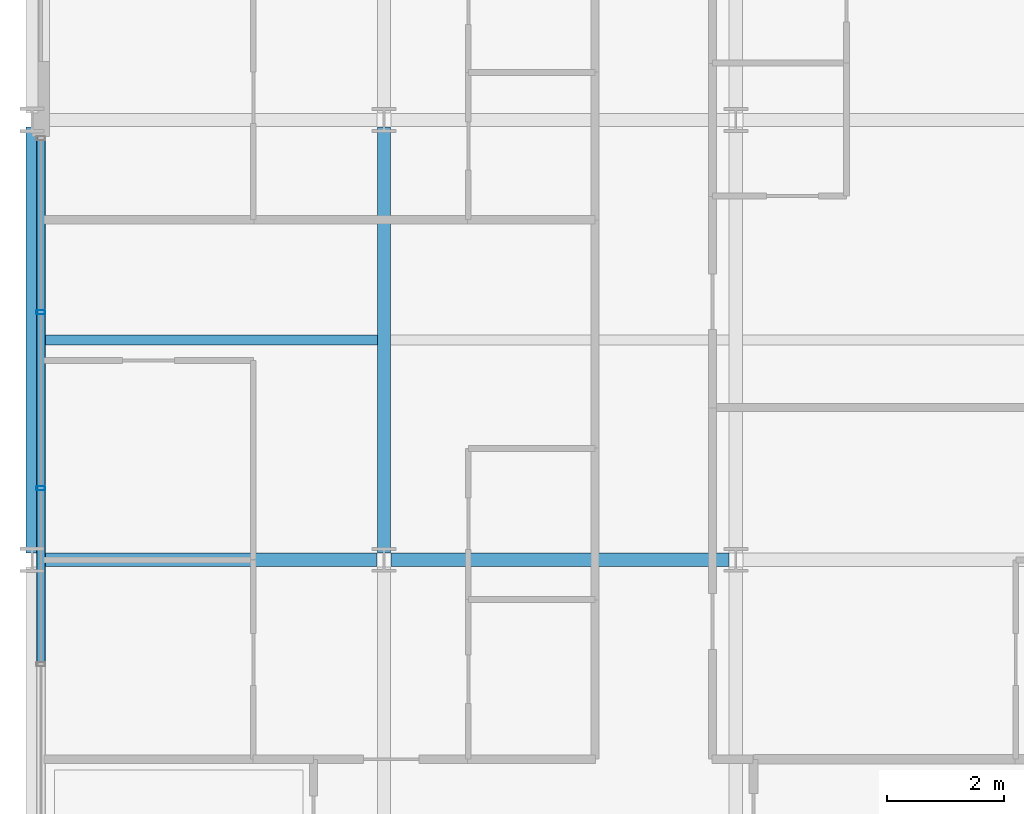
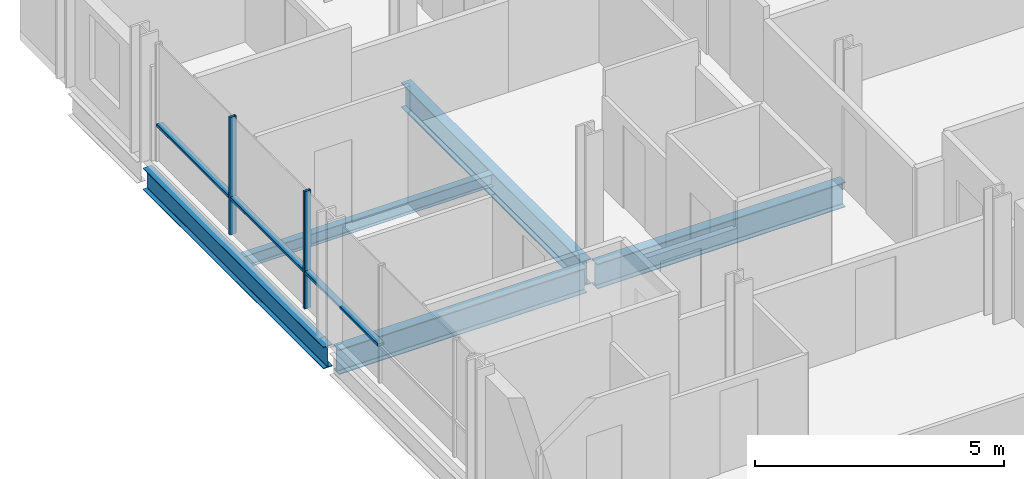
# One storey, part 5 of 40: 5 beams, 5 members, 1 element without a shape of its own.
"""IFC4 building model written with IfcOpenShell, lengths in metres."""

import ifcopenshell
import ifcopenshell.guid

model = None  # the IFC model being written
_history = None  # IfcOwnerHistory: only IFC2X3 demands one
_inside = {}  # id of a spatial element -> (the spatial element, [elements in it])
_under = {}  # id of a project, library or spatial element -> (it, [spatial elements below it])
_declared = {}  # id of a project -> (the project, [libraries it declares])
_typed = {}  # id of a type object -> (the type object, [elements of that type])
_made_of = {}  # id of a material, layer set ... -> (it, [elements and type objects made of it])


def new_model(schema):
    """Start an empty IFC model of exactly this schema.

    Asked for "IFC4X3", IfcOpenShell would pick the latest addendum, in which some entities
    have other attributes; the version numbers below select the first issue.
    IFC2X3 requires an IfcOwnerHistory on every rooted entity: one is made here for all.
    """
    global model, _history
    if schema == "IFC4X3":
        model = ifcopenshell.file(schema_version=(4, 3, 0, 0))
    else:
        model = ifcopenshell.file(schema=schema)
    _inside.clear()
    _under.clear()
    _declared.clear()
    _typed.clear()
    _made_of.clear()
    _history = None
    if model.schema == "IFC2X3":
        org = make("IfcOrganization", Name="unknown")
        user = make(
            "IfcPersonAndOrganization",
            ThePerson=make("IfcPerson", FamilyName="unknown"),
            TheOrganization=org,
        )
        app = make(
            "IfcApplication",
            ApplicationDeveloper=org,
            Version="unknown",
            ApplicationFullName="unknown",
            ApplicationIdentifier="unknown",
        )
        _history = make(
            "IfcOwnerHistory",
            OwningUser=user,
            OwningApplication=app,
            ChangeAction="ADDED",
            CreationDate=0,
        )
    return model


def make(cls, **values):
    """One entity of the class cls with the attributes given. An attribute that is None is left unset."""
    return model.create_entity(
        cls, **{name: value for name, value in values.items() if value is not None}
    )


def rooted(cls, **values):
    """An entity with a GlobalId (a new one), such as an element, a storey or a relation."""
    return make(cls, GlobalId=ifcopenshell.guid.new(), OwnerHistory=_history, **values)


def si_unit(unit_type, name, prefix=None):
    """IfcSIUnit, for example si_unit("LENGTHUNIT", "METRE", prefix="MILLI")."""
    return make("IfcSIUnit", UnitType=unit_type, Prefix=prefix, Name=name)


def assignment(units):
    """IfcUnitAssignment: the units of a project."""
    return None if units is None else make("IfcUnitAssignment", Units=units)


def point(xyz):
    """IfcCartesianPoint."""
    return None if xyz is None else make("IfcCartesianPoint", Coordinates=xyz)


def direction(xyz):
    """IfcDirection."""
    return None if xyz is None else make("IfcDirection", DirectionRatios=xyz)


def frame(location, z_axis=None, x_axis=None):
    """IfcAxis2Placement3D, a coordinate frame: its origin and axes. An axis left out is left unset."""
    return make(
        "IfcAxis2Placement3D",
        Location=point(location),
        Axis=direction(z_axis),
        RefDirection=direction(x_axis),
    )


def frame_2d(location, x_axis=None):
    """IfcAxis2Placement2D, a coordinate frame in the plane: its origin and x axis."""
    return make(
        "IfcAxis2Placement2D", Location=point(location), RefDirection=direction(x_axis)
    )


def origin():
    """The frame at (0, 0, 0) with its axes left unset."""
    return frame((0.0, 0.0, 0.0))


def origin_2d():
    """The frame at (0, 0) in the plane with its x axis left unset."""
    return frame_2d((0.0, 0.0))


def place(relative_to, where):
    """IfcLocalPlacement: puts the frame where relative to a parent placement (None: the world)."""
    return make(
        "IfcLocalPlacement", PlacementRelTo=relative_to, RelativePlacement=where
    )


def context(
    kind, dimensions, precision=None, world=None, true_north=None, identifier=None
):
    """IfcGeometricRepresentationContext, for example the 3D "Model" context."""
    return make(
        "IfcGeometricRepresentationContext",
        ContextIdentifier=identifier,
        ContextType=kind,
        CoordinateSpaceDimension=dimensions,
        Precision=precision,
        WorldCoordinateSystem=world,
        TrueNorth=true_north,
    )


def subcontext(parent, identifier, kind, view, scale=None):
    """IfcGeometricRepresentationSubContext, for example "Body" below "Model"."""
    return make(
        "IfcGeometricRepresentationSubContext",
        ContextIdentifier=identifier,
        ContextType=kind,
        ParentContext=parent,
        TargetScale=scale,
        TargetView=view,
    )


def project(units=None, contexts=None):
    """IfcProject with its units and contexts."""
    return rooted(
        "IfcProject",
        Name="project",
        RepresentationContexts=contexts,
        UnitsInContext=assignment(units),
    )


def spatial(cls, under=None, at=None, **own):
    """A site, building, storey or space (cls), placed at a placement, below another one or the project."""
    s = rooted(cls, ObjectPlacement=at, **own)
    if under is not None:
        _under.setdefault(under.id(), (under, []))[1].append(s)
    return s


def profile(cls, at=None, kind="AREA", **sizes):
    """A parametric profile (cls). Its sizes go by their IFC names, for example OverallWidth=200.0."""
    return make(cls, ProfileType=kind, Position=at, **sizes)


def hollow_rectangle(**sizes):
    """IfcRectangleHollowProfileDef."""
    return profile("IfcRectangleHollowProfileDef", **sizes)


def i_section(**sizes):
    """IfcIShapeProfileDef."""
    return profile("IfcIShapeProfileDef", **sizes)


def extrude(swept, where, along, depth):
    """IfcExtrudedAreaSolid: the profile swept, set in the frame where, extruded along a direction by depth."""
    return make(
        "IfcExtrudedAreaSolid",
        SweptArea=swept,
        Position=where,
        ExtrudedDirection=direction(along),
        Depth=depth,
    )


def shape(context_of_items, identifier, shape_type, items):
    """IfcShapeRepresentation: the items that make up one representation, for example the "Body"."""
    return make(
        "IfcShapeRepresentation",
        ContextOfItems=context_of_items,
        RepresentationIdentifier=identifier,
        RepresentationType=shape_type,
        Items=items,
    )


def material(Name=None, Category=None):
    """IfcMaterial."""
    return make("IfcMaterial", Name=Name, Category=Category)


def layer(
    of_material, thickness, ventilated=None, Name=None, Category=None, Priority=None
):
    """IfcMaterialLayer: one layer of a wall or slab, of a material (None: an air gap)."""
    return make(
        "IfcMaterialLayer",
        Material=of_material,
        LayerThickness=thickness,
        IsVentilated=ventilated,
        Name=Name,
        Category=Category,
        Priority=Priority,
    )


def layer_set(layers, Name=None):
    """IfcMaterialLayerSet."""
    return make("IfcMaterialLayerSet", MaterialLayers=layers, LayerSetName=Name)


def material_profile(
    of_material, cross_section, Name=None, Category=None, Priority=None
):
    """IfcMaterialProfile: a cross section and its material."""
    return make(
        "IfcMaterialProfile",
        Name=Name,
        Material=of_material,
        Profile=cross_section,
        Priority=Priority,
        Category=Category,
    )


def profile_set(profiles, Name=None, composite=None):
    """IfcMaterialProfileSet."""
    return make(
        "IfcMaterialProfileSet",
        Name=Name,
        MaterialProfiles=profiles,
        CompositeProfile=composite,
    )


def made_of(thing, what):
    """Note that an element or type object is made of a material, layer set ...; save() writes the relation."""
    if what is not None:
        _made_of.setdefault(what.id(), (what, []))[1].append(thing)
    return thing


def type_object(cls, material=None, **own):
    """A type object (cls), such as IfcWallType, which elements share."""
    return made_of(rooted(cls, **own), material)


def element(
    cls,
    number,
    at=None,
    inside=None,
    cuts=None,
    type_object=None,
    material=None,
    context=None,
    identifier="Body",
    shape_type=None,
    held_by="IfcProductDefinitionShape",
    body=None,
    shapes=None,
    **own,
):
    """One element of the class cls, such as IfcWall. Its Tag is "e" and its number.

    at: its placement. inside: the storey or other place that contains it. cuts: it is an
    opening in that element (IfcRelVoidsElement). A single representation is given by context,
    identifier, shape_type and body (its items); several are given by shapes. held_by: the class
    of the entity that holds the representations. save() writes the other relations.
    """
    e = rooted(cls, Tag="e%d" % number, ObjectPlacement=at, **own)
    if body is not None:
        shapes = [shape(context, identifier, shape_type, body)]
    if shapes is not None:
        e.Representation = make(held_by, Representations=shapes)
    if inside is not None:
        _inside.setdefault(inside.id(), (inside, []))[1].append(e)
    if cuts is not None:
        rooted(
            "IfcRelVoidsElement", RelatingBuildingElement=cuts, RelatedOpeningElement=e
        )
    if type_object is not None:
        _typed.setdefault(type_object.id(), (type_object, []))[1].append(e)
    return made_of(e, material)


def aggregate(whole, parts):
    """IfcRelAggregates: a whole, such as a stair, and the parts it consists of."""
    return rooted("IfcRelAggregates", RelatingObject=whole, RelatedObjects=parts)


def save(model, path):
    """Write the relations noted so far, then the file.

    IfcRelAggregates (storeys below a building ...), IfcRelContainedInSpatialStructure (elements
    in a storey), IfcRelDefinesByType, IfcRelAssociatesMaterial and IfcRelDeclares: one each for
    every whole, place, type object, material and project.
    """
    for whole, parts in _under.values():
        aggregate(whole, parts)
    for where, things in _inside.values():
        rooted(
            "IfcRelContainedInSpatialStructure",
            RelatedElements=things,
            RelatingStructure=where,
        )
    for kind, things in _typed.values():
        rooted("IfcRelDefinesByType", RelatedObjects=things, RelatingType=kind)
    for what, things in _made_of.values():
        rooted("IfcRelAssociatesMaterial", RelatedObjects=things, RelatingMaterial=what)
    for by, libraries in _declared.values():
        rooted("IfcRelDeclares", RelatingContext=by, RelatedDefinitions=libraries)
    model.write(path)


model = new_model("IFC4")

# Units and contexts
model_context = context("Model", 3, precision=1e-05, world=origin(), true_north=direction((0.0, 1.0)))
body_context = subcontext(model_context, "Body", "Model", "MODEL_VIEW")
ifc_project = project(units=[si_unit("LENGTHUNIT", "METRE"), si_unit("AREAUNIT", "SQUARE_METRE"), si_unit("VOLUMEUNIT", "CUBIC_METRE"), si_unit("PLANEANGLEUNIT", "RADIAN"), si_unit("MASSUNIT", "GRAM", prefix="KILO")], contexts=[model_context])

# Site, building, storey
site_placement = place(None, origin())
site = spatial("IfcSite", under=ifc_project, at=site_placement, CompositionType="ELEMENT")
building_placement = place(site_placement, origin())
building = spatial("IfcBuilding", under=site, at=building_placement, Name="Brevholm Reach", CompositionType="ELEMENT")
storey_placement = place(building_placement, frame((0.0, 0.0, 119.0)))
storey = spatial("IfcBuildingStorey", under=building, at=storey_placement, Name="L35", CompositionType="ELEMENT", Elevation=119.0)

# Beams
ifc_material_1 = material(Name="Structural Steel S355J2", Category="steel")
ifc_material_profile_1 = material_profile(ifc_material_1, i_section(OverallWidth=0.1650390625, OverallDepth=0.303466796875, WebThickness=0.006103515625, FlangeThickness=0.01025390625, FilletRadius=0.0087890625, at=origin_2d()), Name="UKB 305x165x40")
ifc_profile_set_1 = profile_set([ifc_material_profile_1], Name="Structural Steel S355J2")
beam_type_1 = type_object("IfcBeamType", Name="BM-B305", PredefinedType="BEAM", material=ifc_profile_set_1)
beam_1_placement = place(storey_placement, frame((0.104736328125, 19.75, -0.37158203125), z_axis=(1.0, 0.0, 0.0), x_axis=(0.0, 1.0, 0.0)))
element("IfcBeam", 1, at=beam_1_placement, inside=storey, type_object=beam_type_1, Name="L35 Composite Secondary Floor Beam", PredefinedType="BEAM", context=body_context, shape_type="SweptSolid", body=[
    extrude(i_section(OverallWidth=0.1650390625, OverallDepth=0.303466796875, WebThickness=0.006103515625, FlangeThickness=0.01025390625, FilletRadius=0.0087890625, at=origin_2d()), origin(), (0.0, 0.0, 1.0), 5.78076171875),
])
ifc_material_2 = material(Name="Structural Steel S355J2", Category="steel")
ifc_material_profile_2 = material_profile(ifc_material_2, i_section(OverallWidth=0.209228515625, OverallDepth=0.533203125, WebThickness=0.010009765625, FlangeThickness=0.015625, FilletRadius=0.0126953125, at=origin_2d()), Name="UKB 533x210x92")
ifc_profile_set_2 = profile_set([ifc_material_profile_2], Name="Structural Steel S355J2")
beam_type_2 = type_object("IfcBeamType", Name="BM-SP533", PredefinedType="SPANDREL", material=ifc_profile_set_2)
beam_2_placement = place(storey_placement, frame((0.0, 16.1201171875, -0.486572265625), z_axis=(0.0, 1.0, 0.0), x_axis=(-1.0, 0.0, 0.0)))
element("IfcBeam", 2, at=beam_2_placement, inside=storey, type_object=beam_type_2, Name="L35 SP-02 Framing Beam", PredefinedType="SPANDREL", context=body_context, shape_type="SweptSolid", body=[
    extrude(i_section(OverallWidth=0.209228515625, OverallDepth=0.533203125, WebThickness=0.010009765625, FlangeThickness=0.015625, FilletRadius=0.0126953125, at=origin_2d()), origin(), (0.0, 0.0, 1.0), 7.259765625),
])
ifc_material_3 = material(Name="Structural Steel S355J2", Category="steel")
ifc_material_profile_3 = material_profile(ifc_material_3, i_section(OverallWidth=0.22900390625, OverallDepth=0.6123046875, WebThickness=0.011962890625, FlangeThickness=0.01953125, FilletRadius=0.0126953125, at=origin_2d()), Name="UKB 610x229x125")
ifc_profile_set_3 = profile_set([ifc_material_profile_3], Name="Structural Steel S355J2")
beam_type_3 = type_object("IfcBeamType", Name="BM-SP610", PredefinedType="SPANDREL", material=ifc_profile_set_3)
for number, where, z_axis, x_axis, name in (
    (3, (0.1201171875, 16.0, -0.526123046875), (1.0, 0.0, 0.0), (0.0, 1.0, 0.0), "L35 SP-01 Framing Beam"),
    (4, (6.1201171875, 16.0, -0.526123046875), (1.0, 0.0, 0.0), (0.0, 1.0, 0.0), "L35 SP-01 Framing Beam"),
):
    element("IfcBeam", number, at=place(storey_placement, frame(where, z_axis=z_axis, x_axis=x_axis)), inside=storey, type_object=beam_type_3, Name=name, PredefinedType="SPANDREL", context=body_context, shape_type="SweptSolid", body=[
        extrude(i_section(OverallWidth=0.22900390625, OverallDepth=0.6123046875, WebThickness=0.011962890625, FlangeThickness=0.01953125, FilletRadius=0.0126953125, at=origin_2d()), origin(), (0.0, 0.0, 1.0), 5.759765625),
    ])
beam_3_placement = place(storey_placement, frame((6.0, 16.1201171875, -0.526123046875), z_axis=(0.0, 1.0, 0.0), x_axis=(-1.0, 0.0, 0.0)))
element("IfcBeam", 5, at=beam_3_placement, inside=storey, type_object=beam_type_3, Name="L35 SP-01 Framing Beam", PredefinedType="SPANDREL", context=body_context, shape_type="SweptSolid", body=[
    extrude(i_section(OverallWidth=0.22900390625, OverallDepth=0.6123046875, WebThickness=0.011962890625, FlangeThickness=0.01953125, FilletRadius=0.0126953125, at=origin_2d()), origin(), (0.0, 0.0, 1.0), 7.259765625),
])

# Curtain wall, members
ifc_material_4 = material(Name="Dark Anodised Aluminium 6063-T6 and Solar-Control Glass", Category="aluminium")
ifc_layer = layer(ifc_material_4, 0.14990234375)
ifc_layer_set = layer_set([ifc_layer], Name="Dark Anodised Aluminium 6063-T6 and Solar-Control Glass")
curtain_wall_type = type_object("IfcCurtainWallType", Name="CW-01", PredefinedType="NOTDEFINED", material=ifc_layer_set)
curtain_wall_placement = place(storey_placement, origin())
curtain_wall = element("IfcCurtainWall", 6, at=curtain_wall_placement, inside=storey, type_object=curtain_wall_type, Name="L35 Curtain Wall CW-01", PredefinedType="NOTDEFINED")
ifc_material_5 = material(Name="Dark Anodised Aluminium 6063-T6", Category="aluminium")
ifc_material_profile_4 = material_profile(ifc_material_5, hollow_rectangle(XDim=0.06494140625, YDim=0.14990234375, WallThickness=0.0048828125, InnerFilletRadius=0.0048828125, OuterFilletRadius=0.010009765625, at=origin_2d()), Name="RHS 150x65x5")
ifc_profile_set_4 = profile_set([ifc_material_profile_4], Name="Dark Anodised Aluminium 6063-T6")
member_type_1 = type_object("IfcMemberType", Name="CWM-150", PredefinedType="MULLION", material=ifc_profile_set_4)
member_1_placement = place(storey_placement, frame((0.14990234375, 20.219970703125, 0.0), z_axis=(0.0, 0.0, 1.0), x_axis=(0.0, -1.0, 0.0)))
member_1 = element("IfcMember", 7, at=member_1_placement, type_object=member_type_1, Name="CM-150 Mullion 2", PredefinedType="MULLION", context=body_context, shape_type="SweptSolid", body=[
    extrude(hollow_rectangle(XDim=0.06494140625, YDim=0.14990234375, WallThickness=0.0048828125, InnerFilletRadius=0.0048828125, OuterFilletRadius=0.010009765625, at=origin_2d()), origin(), (0.0, 0.0, 1.0), 2.8798828125),
])
member_2_placement = place(storey_placement, frame((0.14990234375, 17.219970703125, 0.0), z_axis=(0.0, 0.0, 1.0), x_axis=(0.0, -1.0, 0.0)))
member_2 = element("IfcMember", 8, at=member_2_placement, type_object=member_type_1, Name="CM-150 Mullion 3", PredefinedType="MULLION", context=body_context, shape_type="SweptSolid", body=[
    extrude(hollow_rectangle(XDim=0.06494140625, YDim=0.14990234375, WallThickness=0.0048828125, InnerFilletRadius=0.0048828125, OuterFilletRadius=0.010009765625, at=origin_2d()), origin(), (0.0, 0.0, 1.0), 2.8798828125),
])
ifc_material_6 = material(Name="Dark Anodised Aluminium 6063-T6", Category="aluminium")
ifc_material_profile_5 = material_profile(ifc_material_6, hollow_rectangle(XDim=0.06494140625, YDim=0.14990234375, WallThickness=0.0048828125, InnerFilletRadius=0.0048828125, OuterFilletRadius=0.010009765625, at=origin_2d()), Name="RHS 150x65x5")
ifc_profile_set_5 = profile_set([ifc_material_profile_5], Name="Dark Anodised Aluminium 6063-T6")
member_type_2 = type_object("IfcMemberType", Name="CWT-150", PredefinedType="NOTDEFINED", material=ifc_profile_set_5)
member_3_placement = place(storey_placement, frame((0.14990234375, 23.155029296875, 0.89990234375), z_axis=(0.0, -1.0, 0.0), x_axis=(0.0, 0.0, 1.0)))
member_3 = element("IfcMember", 9, at=member_3_placement, type_object=member_type_2, Name="CT-150 Transom 1.1", ObjectType="TRANSOM", PredefinedType="USERDEFINED", context=body_context, shape_type="SweptSolid", body=[
    extrude(hollow_rectangle(XDim=0.06494140625, YDim=0.14990234375, WallThickness=0.0048828125, InnerFilletRadius=0.0048828125, OuterFilletRadius=0.010009765625, at=origin_2d()), origin(), (0.0, 0.0, 1.0), 2.902587890625),
])
member_4_placement = place(storey_placement, frame((0.14990234375, 20.1875, 0.89990234375), z_axis=(0.0, -1.0, 0.0), x_axis=(0.0, 0.0, 1.0)))
member_4 = element("IfcMember", 10, at=member_4_placement, type_object=member_type_2, Name="CT-150 Transom 2.1", ObjectType="TRANSOM", PredefinedType="USERDEFINED", context=body_context, shape_type="SweptSolid", body=[
    extrude(hollow_rectangle(XDim=0.06494140625, YDim=0.14990234375, WallThickness=0.0048828125, InnerFilletRadius=0.0048828125, OuterFilletRadius=0.010009765625, at=origin_2d()), origin(), (0.0, 0.0, 1.0), 2.93505859375),
])
member_5_placement = place(storey_placement, frame((0.14990234375, 17.1875, 0.89990234375), z_axis=(0.0, -1.0, 0.0), x_axis=(0.0, 0.0, 1.0)))
member_5 = element("IfcMember", 11, at=member_5_placement, type_object=member_type_2, Name="CT-150 Transom 3.1", ObjectType="TRANSOM", PredefinedType="USERDEFINED", context=body_context, shape_type="SweptSolid", body=[
    extrude(hollow_rectangle(XDim=0.06494140625, YDim=0.14990234375, WallThickness=0.0048828125, InnerFilletRadius=0.0048828125, OuterFilletRadius=0.010009765625, at=origin_2d()), origin(), (0.0, 0.0, 1.0), 2.93505859375),
])
aggregate(curtain_wall, [member_1, member_2, member_3, member_4, member_5])

save(model, "model.ifc")
